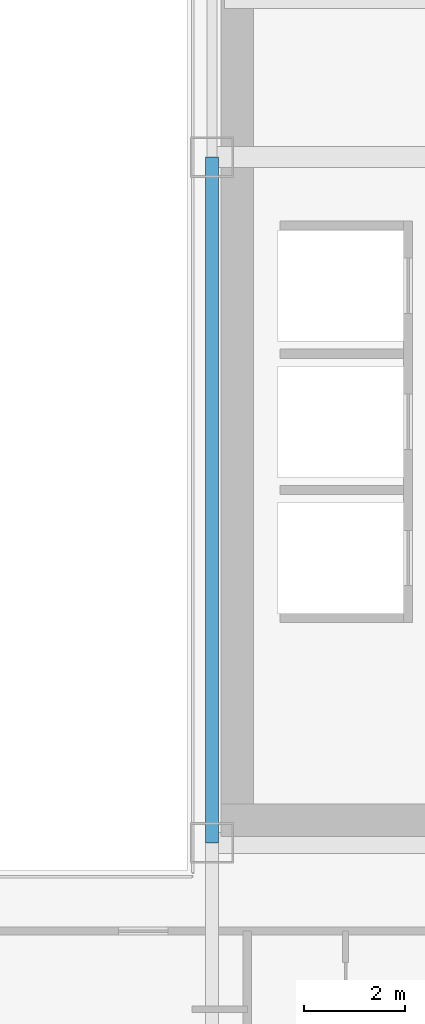
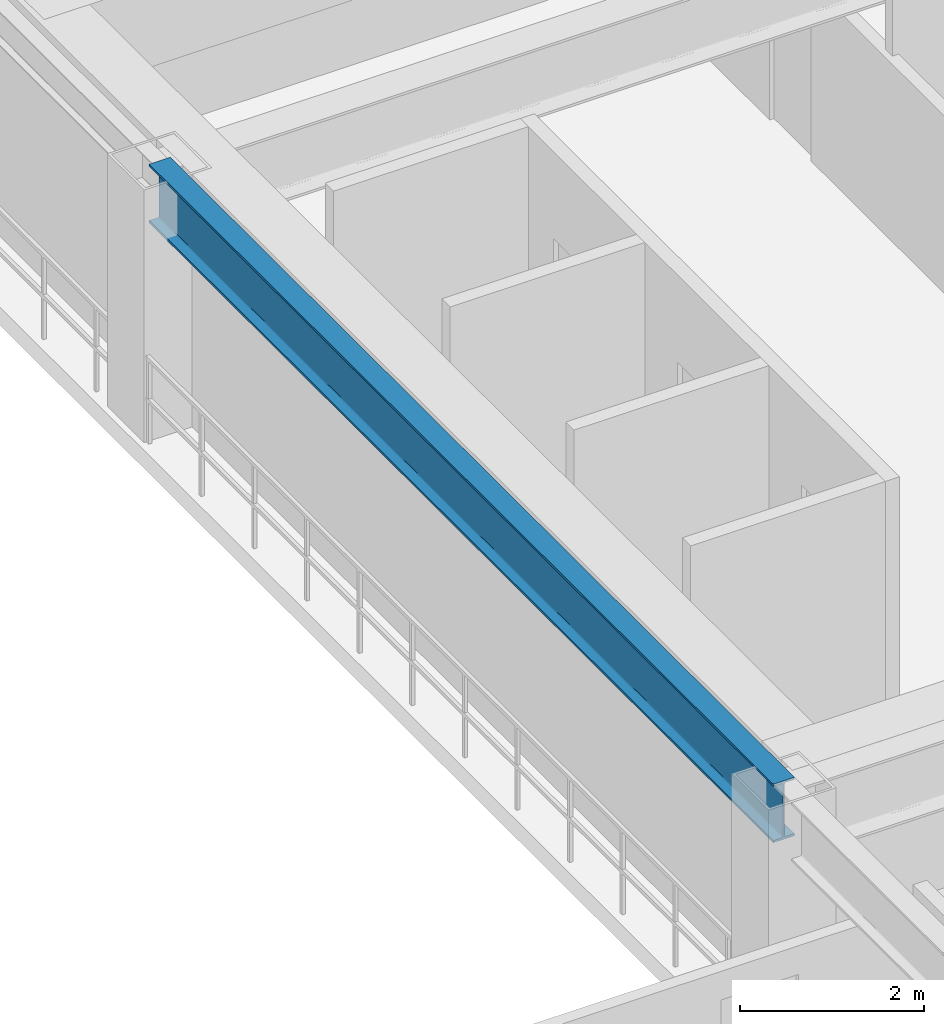
# One storey, part 12 of 35: 1 beam.
"""IFC4 building model written with IfcOpenShell, lengths in metres."""

from ifc_helpers import new_model, si_unit, direction, frame, origin, origin_2d, place, context, subcontext, project, spatial, i_section, extrude, source, transform, mapped, material, material_profile, profile_set, type_object, element, save


model = new_model("IFC4")

# Units and contexts
model_context = context("Model", 3, precision=1e-05, world=origin(), true_north=direction((0.0, 1.0)))
body_context = subcontext(model_context, "Body", "Model", "MODEL_VIEW")
ifc_project = project(units=[si_unit("LENGTHUNIT", "METRE"), si_unit("AREAUNIT", "SQUARE_METRE"), si_unit("VOLUMEUNIT", "CUBIC_METRE"), si_unit("PLANEANGLEUNIT", "RADIAN"), si_unit("MASSUNIT", "GRAM", prefix="KILO")], contexts=[model_context])

# Site, building, storey
site_placement = place(None, origin())
site = spatial("IfcSite", under=ifc_project, at=site_placement, CompositionType="ELEMENT")
building_placement = place(site_placement, origin())
building = spatial("IfcBuilding", under=site, at=building_placement, Name="Ocotamira Hotel", CompositionType="ELEMENT")
storey_placement = place(building_placement, frame((0.0, 0.0, 115.199951171875)))
storey = spatial("IfcBuildingStorey", under=building, at=storey_placement, Name="L28", CompositionType="ELEMENT", Elevation=115.199951171875)

# Beam
ifc_material = material(Name="Steel ASTM A992 Grade 50", Category="steel")
ifc_material_profile = material_profile(ifc_material, i_section(OverallWidth=0.26611328125, OverallDepth=0.779052734375, WebThickness=0.0166015625, FlangeThickness=0.030029296875, FilletRadius=0.01806640625, at=origin_2d()), Name="W30X148")
ifc_profile_set = profile_set([ifc_material_profile], Name="Steel ASTM A992 Grade 50")
beam_type = type_object("IfcBeamType", Name="BM-GIRD-W30X148", PredefinedType="BEAM", material=ifc_profile_set)
shared_shape = source(origin(), body_context, "Body", "SweptSolid", [
    extrude(i_section(OverallWidth=0.26611328125, OverallDepth=0.779052734375, WebThickness=0.0166015625, FlangeThickness=0.030029296875, FilletRadius=0.01806640625, at=origin_2d()), origin(), (0.0, 0.0, 1.0), 13.599853515625),
])
beam_placement = place(storey_placement, frame((40.5, 14.550048828125, 2.970458984375), z_axis=(0.0, 1.0, 0.0), x_axis=(-1.0, 0.0, 0.0)))
element("IfcBeam", 1, at=beam_placement, inside=storey, type_object=beam_type, Name="L28 Beam X40.5 Y14.55-28.15", PredefinedType="BEAM", context=body_context, shape_type="MappedRepresentation", body=[
    mapped(shared_shape, transform((0.0, 0.0, 0.0), scale=1.0)),
])

save(model, "model.ifc")
